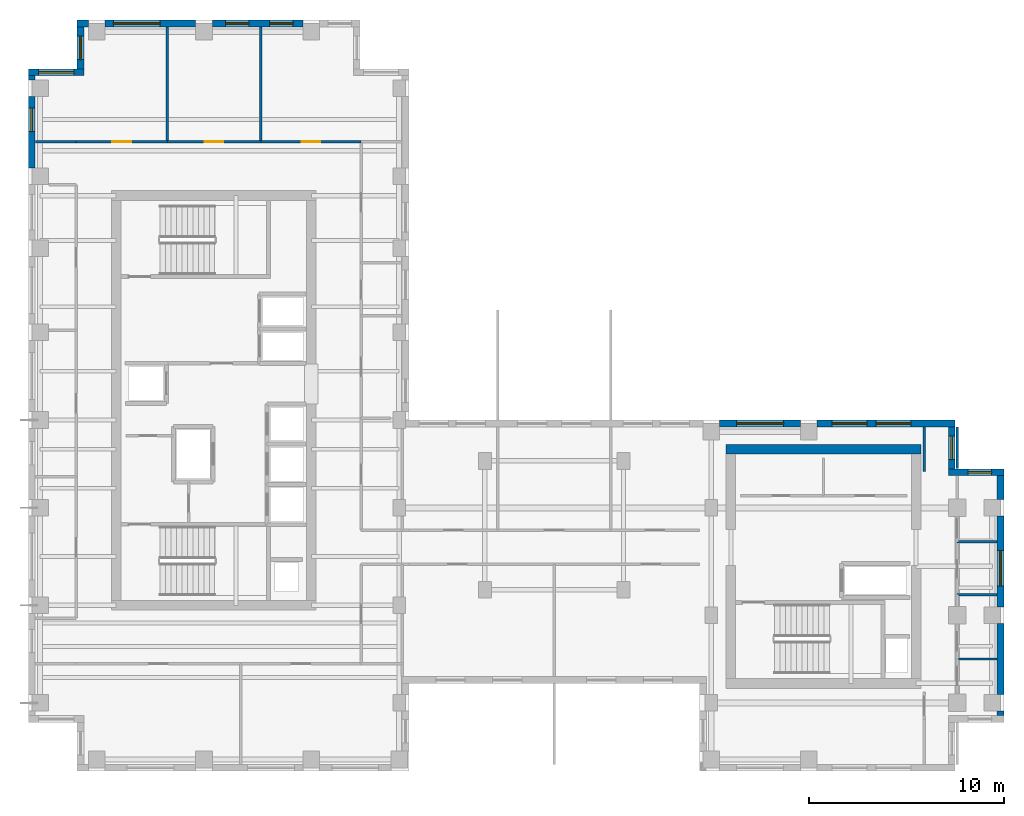
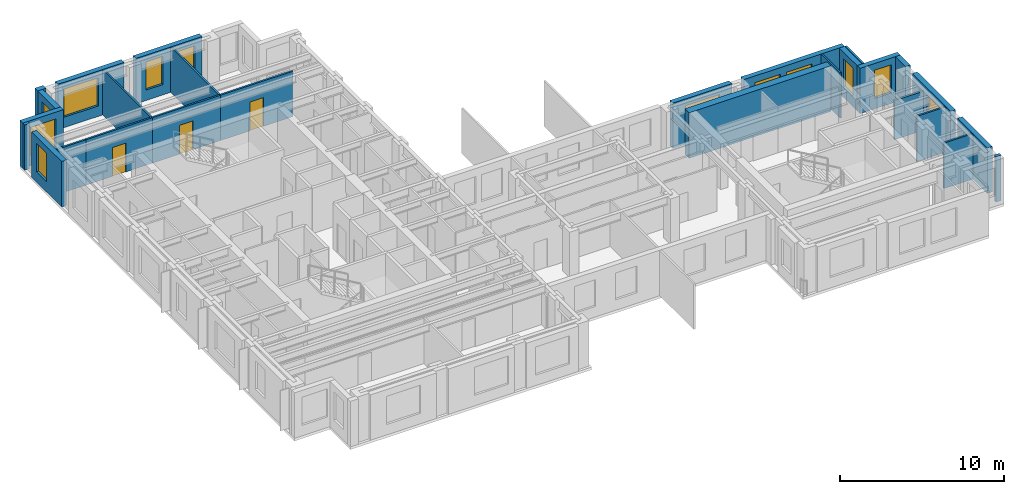
# One storey, part 7 of 10: 27 walls, 12 windows, 3 doors, 15 openings.
"""IFC4 building model written with IfcOpenShell, lengths in metres."""

from ifc_helpers import new_model, si_unit, direction, frame, frame_2d, origin, place, context, subcontext, project, spatial, rectangle, extrude, source, transform, mapped, material, layer, layer_set, type_object, element, fill, save


model = new_model("IFC4")

# Units and contexts
model_context = context("Model", 3, precision=1e-05, world=origin(), true_north=direction((0.0, 1.0)))
body_context = subcontext(model_context, "Body", "Model", "MODEL_VIEW")
ifc_project = project(units=[si_unit("LENGTHUNIT", "METRE"), si_unit("AREAUNIT", "SQUARE_METRE"), si_unit("VOLUMEUNIT", "CUBIC_METRE"), si_unit("PLANEANGLEUNIT", "RADIAN"), si_unit("MASSUNIT", "GRAM", prefix="KILO")], contexts=[model_context])

# Site, building, storey
site_placement = place(None, origin())
site = spatial("IfcSite", under=ifc_project, at=site_placement, CompositionType="ELEMENT")
building_placement = place(site_placement, origin())
building = spatial("IfcBuilding", under=site, at=building_placement, Name="Kharzan Plaza Tower", CompositionType="ELEMENT")
storey_placement = place(building_placement, frame((0.0, 0.0, 216.0)))
storey = spatial("IfcBuildingStorey", under=building, at=storey_placement, Name="L58", CompositionType="ELEMENT", Elevation=216.0)

# Wall, openings, windows
ifc_material_1 = material(Name="Concrete C40/50", Category="concrete")
ifc_layer_1 = layer(ifc_material_1, 0.35009765625)
ifc_layer_set_1 = layer_set([ifc_layer_1], Name="Concrete C40/50")
wall_type_1 = type_object("IfcWallType", Name="WL-EXT-MAS-Z4", PredefinedType="SOLIDWALL", material=ifc_layer_set_1)
wall_1_placement = place(storey_placement, frame((14.076904296875, 38.324951171875, 0.0), z_axis=(0.0, 0.0, 1.0), x_axis=(-1.0, 0.0, 0.0)))
wall_1 = element("IfcWall", 1, at=wall_1_placement, inside=storey, type_object=wall_type_1, Name="L58 Masonry-Frame Exterior Wall 04", PredefinedType="SOLIDWALL", context=body_context, shape_type="SweptSolid", body=[
    extrude(rectangle(XDim=4.65380859375, YDim=0.35009765625, at=frame_2d((2.326904296875, 0.0))), origin(), (0.0, 0.0, 1.0), 3.385009765625),
])
opening_1_placement = place(wall_1_placement, frame((0.515380859375, 0.0, 0.780029296875)))
opening_1 = element("IfcOpeningElement", 2, at=opening_1_placement, cuts=wall_1, Name="Opening W3", PredefinedType="OPENING", context=body_context, shape_type="SweptSolid", body=[
    extrude(rectangle(XDim=1.199951171875, YDim=2.10009765625, at=frame_2d((0.60009765625, 1.050048828125))), frame((0.0, 0.18505859375, 0.0), z_axis=(0.0, -1.0, 0.0), x_axis=(1.0, 0.0, 0.0)), (0.0, 0.0, 1.0), 0.3701171875),
])
opening_2_placement = place(wall_1_placement, frame((2.7724609375, 0.0, 0.780029296875)))
opening_2 = element("IfcOpeningElement", 3, at=opening_2_placement, cuts=wall_1, Name="Opening W3", PredefinedType="OPENING", context=body_context, shape_type="SweptSolid", body=[
    extrude(rectangle(XDim=1.199951171875, YDim=2.10009765625, at=frame_2d((0.60009765625, 1.050048828125))), frame((0.0, 0.18505859375, 0.0), z_axis=(0.0, -1.0, 0.0), x_axis=(1.0, 0.0, 0.0)), (0.0, 0.0, 1.0), 0.3701171875),
])
ifc_material_2 = material(Name="Low-E Double Glazing", Category="glass")
window_type_1 = type_object("IfcWindowType", Name="WN-REC-1200x2100", PartitioningType="SINGLE_PANEL", PredefinedType="WINDOW", material=ifc_material_2)
shared_shape_1 = source(origin(), body_context, "Body", "SweptSolid", [
    extrude(rectangle(XDim=1.199951171875, YDim=2.10009765625, at=frame_2d((0.60009765625, 1.050048828125))), frame((0.0, 0.030029296875, 0.0), z_axis=(0.0, -1.0, 0.0), x_axis=(1.0, 0.0, 0.0)), (0.0, 0.0, 1.0), 0.06005859375),
])
window_1_placement = place(opening_1_placement, origin())
window_1 = element("IfcWindow", 4, at=window_1_placement, inside=storey, type_object=window_type_1, Name="L58 Recessed Solar-Control Window 04-1", OverallHeight=2.10009765625, OverallWidth=1.199951171875, PartitioningType="SINGLE_PANEL", PredefinedType="WINDOW", context=body_context, shape_type="MappedRepresentation", body=[
    mapped(shared_shape_1, transform((0.0, 0.0, 0.0), x_axis=(1.0, 0.0, 0.0), y_axis=(0.0, 1.0, 0.0), z_axis=(0.0, 0.0, 1.0))),
])
fill(opening_1, window_1)
window_2_placement = place(opening_2_placement, origin())
window_2 = element("IfcWindow", 5, at=window_2_placement, inside=storey, type_object=window_type_1, Name="L58 Recessed Solar-Control Window 04-2", OverallHeight=2.10009765625, OverallWidth=1.199951171875, PartitioningType="SINGLE_PANEL", PredefinedType="WINDOW", context=body_context, shape_type="MappedRepresentation", body=[
    mapped(shared_shape_1, transform((0.0, 0.0, 0.0), x_axis=(1.0, 0.0, 0.0), y_axis=(0.0, 1.0, 0.0), z_axis=(0.0, 0.0, 1.0))),
])
fill(opening_2, window_2)

# Wall, opening, window
wall_2_placement = place(storey_placement, frame((8.576904296875, 38.324951171875, 0.0), z_axis=(0.0, 0.0, 1.0), x_axis=(-1.0, 0.0, 0.0)))
wall_2 = element("IfcWall", 6, at=wall_2_placement, inside=storey, type_object=wall_type_1, Name="L58 Masonry-Frame Exterior Wall 05", PredefinedType="SOLIDWALL", context=body_context, shape_type="SweptSolid", body=[
    extrude(rectangle(XDim=4.65380859375, YDim=0.35009765625, at=frame_2d((2.326904296875, 0.0))), origin(), (0.0, 0.0, 1.0), 3.385009765625),
])
opening_3_placement = place(wall_2_placement, frame((1.820068359375, 0.0, 0.780029296875)))
opening_3 = element("IfcOpeningElement", 7, at=opening_3_placement, cuts=wall_2, Name="Opening W2", PredefinedType="OPENING", context=body_context, shape_type="SweptSolid", body=[
    extrude(rectangle(XDim=2.39990234375, YDim=2.10009765625, at=frame_2d((1.199951171875, 1.050048828125))), frame((0.0, 0.18505859375, 0.0), z_axis=(0.0, -1.0, 0.0), x_axis=(1.0, 0.0, 0.0)), (0.0, 0.0, 1.0), 0.3701171875),
])
window_type_2 = type_object("IfcWindowType", Name="WN-REC-2400x2100", PartitioningType="SINGLE_PANEL", PredefinedType="WINDOW", material=ifc_material_2)
shared_shape_2 = source(origin(), body_context, "Body", "SweptSolid", [
    extrude(rectangle(XDim=2.39990234375, YDim=2.10009765625, at=frame_2d((1.199951171875, 1.050048828125))), frame((0.0, 0.030029296875, 0.0), z_axis=(0.0, -1.0, 0.0), x_axis=(1.0, 0.0, 0.0)), (0.0, 0.0, 1.0), 0.06005859375),
])
window_3_placement = place(opening_3_placement, origin())
window_3 = element("IfcWindow", 8, at=window_3_placement, inside=storey, type_object=window_type_2, Name="L58 Wide Recessed Solar-Control Window 05-1", OverallHeight=2.10009765625, OverallWidth=2.39990234375, PartitioningType="SINGLE_PANEL", PredefinedType="WINDOW", context=body_context, shape_type="MappedRepresentation", body=[
    mapped(shared_shape_2, transform((0.0, 0.0, 0.0), x_axis=(1.0, 0.0, 0.0), y_axis=(0.0, 1.0, 0.0), z_axis=(0.0, 0.0, 1.0))),
])
fill(opening_3, window_3)

wall_3_placement = place(storey_placement, frame((2.675048828125, 38.152099609375, 0.0), z_axis=(0.0, 0.0, 1.0), x_axis=(0.0, -1.0, 0.0)))
wall_3 = element("IfcWall", 9, at=wall_3_placement, inside=storey, type_object=wall_type_1, Name="L58 Masonry-Frame Exterior Wall 07", PredefinedType="SOLIDWALL", context=body_context, shape_type="SweptSolid", body=[
    extrude(rectangle(XDim=2.154052734375, YDim=0.35009765625, at=frame_2d((1.0771484375, 0.0))), origin(), (0.0, 0.0, 1.0), 3.385009765625),
])
opening_4_placement = place(wall_3_placement, frame((0.47705078125, 0.0, 0.780029296875)))
opening_4 = element("IfcOpeningElement", 10, at=opening_4_placement, cuts=wall_3, Name="Opening W3", PredefinedType="OPENING", context=body_context, shape_type="SweptSolid", body=[
    extrude(rectangle(XDim=1.199951171875, YDim=2.10009765625, at=frame_2d((0.60009765625, 1.050048828125))), frame((0.0, 0.18505859375, 0.0), z_axis=(0.0, -1.0, 0.0), x_axis=(1.0, 0.0, 0.0)), (0.0, 0.0, 1.0), 0.3701171875),
])
window_4_placement = place(opening_4_placement, origin())
window_4 = element("IfcWindow", 11, at=window_4_placement, inside=storey, type_object=window_type_1, Name="L58 Recessed Solar-Control Window 07-1", OverallHeight=2.10009765625, OverallWidth=1.199951171875, PartitioningType="SINGLE_PANEL", PredefinedType="WINDOW", context=body_context, shape_type="MappedRepresentation", body=[
    mapped(shared_shape_1, transform((0.0, 0.0, 0.0), x_axis=(1.0, 0.0, 0.0), y_axis=(0.0, 1.0, 0.0), z_axis=(0.0, 0.0, 1.0))),
])
fill(opening_4, window_4)

wall_4_placement = place(storey_placement, frame((2.85009765625, 35.824951171875, 0.0), z_axis=(0.0, 0.0, 1.0), x_axis=(-1.0, 0.0, 0.0)))
wall_4 = element("IfcWall", 12, at=wall_4_placement, inside=storey, type_object=wall_type_1, Name="L58 Masonry-Frame Exterior Wall 08", PredefinedType="SOLIDWALL", context=body_context, shape_type="SweptSolid", body=[
    extrude(rectangle(XDim=2.85009765625, YDim=0.35009765625, at=frame_2d((1.425048828125, 0.0))), origin(), (0.0, 0.0, 1.0), 3.385009765625),
])
opening_5_placement = place(wall_4_placement, frame((0.52490234375, 0.0, 0.780029296875)))
opening_5 = element("IfcOpeningElement", 13, at=opening_5_placement, cuts=wall_4, Name="Opening W1", PredefinedType="OPENING", context=body_context, shape_type="SweptSolid", body=[
    extrude(rectangle(XDim=1.800048828125, YDim=2.10009765625, at=frame_2d((0.89990234375, 1.050048828125))), frame((0.0, 0.18505859375, 0.0), z_axis=(0.0, -1.0, 0.0), x_axis=(1.0, 0.0, 0.0)), (0.0, 0.0, 1.0), 0.3701171875),
])
window_type_3 = type_object("IfcWindowType", Name="WN-REC-1800x2100", PartitioningType="SINGLE_PANEL", PredefinedType="WINDOW", material=ifc_material_2)
shared_shape_3 = source(origin(), body_context, "Body", "SweptSolid", [
    extrude(rectangle(XDim=1.800048828125, YDim=2.10009765625, at=frame_2d((0.89990234375, 1.050048828125))), frame((0.0, 0.030029296875, 0.0), z_axis=(0.0, -1.0, 0.0), x_axis=(1.0, 0.0, 0.0)), (0.0, 0.0, 1.0), 0.06005859375),
])
window_5_placement = place(opening_5_placement, origin())
window_5 = element("IfcWindow", 14, at=window_5_placement, inside=storey, type_object=window_type_3, Name="L58 Recessed Solar-Control Window 08-1", OverallHeight=2.10009765625, OverallWidth=1.800048828125, PartitioningType="SINGLE_PANEL", PredefinedType="WINDOW", context=body_context, shape_type="MappedRepresentation", body=[
    mapped(shared_shape_3, transform((0.0, 0.0, 0.0), x_axis=(1.0, 0.0, 0.0), y_axis=(0.0, 1.0, 0.0), z_axis=(0.0, 0.0, 1.0))),
])
fill(opening_5, window_5)

wall_5_placement = place(storey_placement, frame((0.175048828125, 34.576904296875, 0.0), z_axis=(0.0, 0.0, 1.0), x_axis=(0.0, -1.0, 0.0)))
wall_5 = element("IfcWall", 15, at=wall_5_placement, inside=storey, type_object=wall_type_1, Name="L58 Masonry-Frame Exterior Wall 10", PredefinedType="SOLIDWALL", context=body_context, shape_type="SweptSolid", body=[
    extrude(rectangle(XDim=3.65380859375, YDim=0.35009765625, at=frame_2d((1.826904296875, 0.0))), origin(), (0.0, 0.0, 1.0), 3.385009765625),
])
opening_6_placement = place(wall_5_placement, frame((0.598388671875, 0.0, 0.780029296875)))
opening_6 = element("IfcOpeningElement", 16, at=opening_6_placement, cuts=wall_5, Name="Opening W3", PredefinedType="OPENING", context=body_context, shape_type="SweptSolid", body=[
    extrude(rectangle(XDim=1.199951171875, YDim=2.10009765625, at=frame_2d((0.60009765625, 1.050048828125))), frame((0.0, 0.18505859375, 0.0), z_axis=(0.0, -1.0, 0.0), x_axis=(1.0, 0.0, 0.0)), (0.0, 0.0, 1.0), 0.3701171875),
])
window_6_placement = place(opening_6_placement, origin())
window_6 = element("IfcWindow", 17, at=window_6_placement, inside=storey, type_object=window_type_1, Name="L58 Recessed Solar-Control Window 10-1", OverallHeight=2.10009765625, OverallWidth=1.199951171875, PartitioningType="SINGLE_PANEL", PredefinedType="WINDOW", context=body_context, shape_type="MappedRepresentation", body=[
    mapped(shared_shape_1, transform((0.0, 0.0, 0.0), x_axis=(1.0, 0.0, 0.0), y_axis=(0.0, 1.0, 0.0), z_axis=(0.0, 0.0, 1.0))),
])
fill(opening_6, window_6)

wall_6_placement = place(storey_placement, frame((49.824951171875, 8.423095703125, 0.0), z_axis=(0.0, 0.0, 1.0), x_axis=(0.0, 1.0, 0.0)))
wall_6 = element("IfcWall", 18, at=wall_6_placement, inside=storey, type_object=wall_type_1, Name="L58 Masonry-Frame Exterior Wall 35", PredefinedType="SOLIDWALL", context=body_context, shape_type="SweptSolid", body=[
    extrude(rectangle(XDim=4.65380859375, YDim=0.35009765625, at=frame_2d((2.326904296875, 0.0))), origin(), (0.0, 0.0, 1.0), 3.385009765625),
])
opening_7_placement = place(wall_6_placement, frame((1.076904296875, 0.0, 0.780029296875)))
opening_7 = element("IfcOpeningElement", 19, at=opening_7_placement, cuts=wall_6, Name="Opening W1", PredefinedType="OPENING", context=body_context, shape_type="SweptSolid", body=[
    extrude(rectangle(XDim=1.800048828125, YDim=2.10009765625, at=frame_2d((0.89990234375, 1.050048828125))), frame((0.0, 0.18505859375, 0.0), z_axis=(0.0, -1.0, 0.0), x_axis=(1.0, 0.0, 0.0)), (0.0, 0.0, 1.0), 0.3701171875),
])
window_7_placement = place(opening_7_placement, origin())
window_7 = element("IfcWindow", 20, at=window_7_placement, inside=storey, type_object=window_type_3, Name="L58 Recessed Solar-Control Window 35-1", OverallHeight=2.10009765625, OverallWidth=1.800048828125, PartitioningType="SINGLE_PANEL", PredefinedType="WINDOW", context=body_context, shape_type="MappedRepresentation", body=[
    mapped(shared_shape_3, transform((0.0, 0.0, 0.0), x_axis=(1.0, 0.0, 0.0), y_axis=(0.0, 1.0, 0.0), z_axis=(0.0, 0.0, 1.0))),
])
fill(opening_7, window_7)

wall_7_placement = place(storey_placement, frame((50.0, 15.324951171875, 0.0), z_axis=(0.0, 0.0, 1.0), x_axis=(-1.0, 0.0, 0.0)))
wall_7 = element("IfcWall", 21, at=wall_7_placement, inside=storey, type_object=wall_type_1, Name="L58 Masonry-Frame Exterior Wall 37", PredefinedType="SOLIDWALL", context=body_context, shape_type="SweptSolid", body=[
    extrude(rectangle(XDim=2.85009765625, YDim=0.35009765625, at=frame_2d((1.425048828125, 0.0))), origin(), (0.0, 0.0, 1.0), 3.385009765625),
])
opening_8_placement = place(wall_7_placement, frame((0.635009765625, 0.0, 0.780029296875)))
opening_8 = element("IfcOpeningElement", 22, at=opening_8_placement, cuts=wall_7, Name="Opening W3", PredefinedType="OPENING", context=body_context, shape_type="SweptSolid", body=[
    extrude(rectangle(XDim=1.199951171875, YDim=2.10009765625, at=frame_2d((0.60009765625, 1.050048828125))), frame((0.0, 0.18505859375, 0.0), z_axis=(0.0, -1.0, 0.0), x_axis=(1.0, 0.0, 0.0)), (0.0, 0.0, 1.0), 0.3701171875),
])
window_8_placement = place(opening_8_placement, origin())
window_8 = element("IfcWindow", 23, at=window_8_placement, inside=storey, type_object=window_type_1, Name="L58 Recessed Solar-Control Window 37-1", OverallHeight=2.10009765625, OverallWidth=1.199951171875, PartitioningType="SINGLE_PANEL", PredefinedType="WINDOW", context=body_context, shape_type="MappedRepresentation", body=[
    mapped(shared_shape_1, transform((0.0, 0.0, 0.0), x_axis=(1.0, 0.0, 0.0), y_axis=(0.0, 1.0, 0.0), z_axis=(0.0, 0.0, 1.0))),
])
fill(opening_8, window_8)

wall_8_placement = place(storey_placement, frame((47.324951171875, 15.498046875, 0.0), z_axis=(0.0, 0.0, 1.0), x_axis=(0.0, 1.0, 0.0)))
wall_8 = element("IfcWall", 24, at=wall_8_placement, inside=storey, type_object=wall_type_1, Name="L58 Masonry-Frame Exterior Wall 38", PredefinedType="SOLIDWALL", context=body_context, shape_type="SweptSolid", body=[
    extrude(rectangle(XDim=2.154052734375, YDim=0.35009765625, at=frame_2d((1.0771484375, 0.0))), origin(), (0.0, 0.0, 1.0), 3.385009765625),
])
opening_9_placement = place(wall_8_placement, frame((0.47705078125, 0.0, 0.780029296875)))
opening_9 = element("IfcOpeningElement", 25, at=opening_9_placement, cuts=wall_8, Name="Opening W3", PredefinedType="OPENING", context=body_context, shape_type="SweptSolid", body=[
    extrude(rectangle(XDim=1.199951171875, YDim=2.10009765625, at=frame_2d((0.60009765625, 1.050048828125))), frame((0.0, 0.18505859375, 0.0), z_axis=(0.0, -1.0, 0.0), x_axis=(1.0, 0.0, 0.0)), (0.0, 0.0, 1.0), 0.3701171875),
])
window_9_placement = place(opening_9_placement, origin())
window_9 = element("IfcWindow", 26, at=window_9_placement, inside=storey, type_object=window_type_1, Name="L58 Recessed Solar-Control Window 38-1", OverallHeight=2.10009765625, OverallWidth=1.199951171875, PartitioningType="SINGLE_PANEL", PredefinedType="WINDOW", context=body_context, shape_type="MappedRepresentation", body=[
    mapped(shared_shape_1, transform((0.0, 0.0, 0.0), x_axis=(1.0, 0.0, 0.0), y_axis=(0.0, 1.0, 0.0), z_axis=(0.0, 0.0, 1.0))),
])
fill(opening_9, window_9)

# Wall, openings, windows
wall_9_placement = place(storey_placement, frame((47.5, 17.824951171875, 0.0), z_axis=(0.0, 0.0, 1.0), x_axis=(-1.0, 0.0, 0.0)))
wall_9 = element("IfcWall", 27, at=wall_9_placement, inside=storey, type_object=wall_type_1, Name="L58 Masonry-Frame Exterior Wall 39", PredefinedType="SOLIDWALL", context=body_context, shape_type="SweptSolid", body=[
    extrude(rectangle(XDim=7.076904296875, YDim=0.35009765625, at=frame_2d((3.53857421875, 0.0))), origin(), (0.0, 0.0, 1.0), 3.385009765625),
])
opening_10_placement = place(wall_9_placement, frame((2.272216796875, 0.0, 0.780029296875)))
opening_10 = element("IfcOpeningElement", 28, at=opening_10_placement, cuts=wall_9, Name="Opening W1", PredefinedType="OPENING", context=body_context, shape_type="SweptSolid", body=[
    extrude(rectangle(XDim=1.800048828125, YDim=2.10009765625, at=frame_2d((0.89990234375, 1.050048828125))), frame((0.0, 0.18505859375, 0.0), z_axis=(0.0, -1.0, 0.0), x_axis=(1.0, 0.0, 0.0)), (0.0, 0.0, 1.0), 0.3701171875),
])
opening_11_placement = place(wall_9_placement, frame((4.5146484375, 0.0, 0.780029296875)))
opening_11 = element("IfcOpeningElement", 29, at=opening_11_placement, cuts=wall_9, Name="Opening W1", PredefinedType="OPENING", context=body_context, shape_type="SweptSolid", body=[
    extrude(rectangle(XDim=1.800048828125, YDim=2.10009765625, at=frame_2d((0.89990234375, 1.050048828125))), frame((0.0, 0.18505859375, 0.0), z_axis=(0.0, -1.0, 0.0), x_axis=(1.0, 0.0, 0.0)), (0.0, 0.0, 1.0), 0.3701171875),
])
window_10_placement = place(opening_10_placement, origin())
window_10 = element("IfcWindow", 30, at=window_10_placement, inside=storey, type_object=window_type_3, Name="L58 Recessed Solar-Control Window 39-1", OverallHeight=2.10009765625, OverallWidth=1.800048828125, PartitioningType="SINGLE_PANEL", PredefinedType="WINDOW", context=body_context, shape_type="MappedRepresentation", body=[
    mapped(shared_shape_3, transform((0.0, 0.0, 0.0), x_axis=(1.0, 0.0, 0.0), y_axis=(0.0, 1.0, 0.0), z_axis=(0.0, 0.0, 1.0))),
])
fill(opening_10, window_10)
window_11_placement = place(opening_11_placement, origin())
window_11 = element("IfcWindow", 31, at=window_11_placement, inside=storey, type_object=window_type_3, Name="L58 Recessed Solar-Control Window 39-2", OverallHeight=2.10009765625, OverallWidth=1.800048828125, PartitioningType="SINGLE_PANEL", PredefinedType="WINDOW", context=body_context, shape_type="MappedRepresentation", body=[
    mapped(shared_shape_3, transform((0.0, 0.0, 0.0), x_axis=(1.0, 0.0, 0.0), y_axis=(0.0, 1.0, 0.0), z_axis=(0.0, 0.0, 1.0))),
])
fill(opening_11, window_11)

# Wall, opening, window
wall_10_placement = place(storey_placement, frame((39.576904296875, 17.824951171875, 0.0), z_axis=(0.0, 0.0, 1.0), x_axis=(-1.0, 0.0, 0.0)))
wall_10 = element("IfcWall", 32, at=wall_10_placement, inside=storey, type_object=wall_type_1, Name="L58 Masonry-Frame Exterior Wall 40", PredefinedType="SOLIDWALL", context=body_context, shape_type="SweptSolid", body=[
    extrude(rectangle(XDim=4.15380859375, YDim=0.35009765625, at=frame_2d((2.076904296875, 0.0))), origin(), (0.0, 0.0, 1.0), 3.385009765625),
])
opening_12_placement = place(wall_10_placement, frame((0.876953125, 0.0, 0.780029296875)))
opening_12 = element("IfcOpeningElement", 33, at=opening_12_placement, cuts=wall_10, Name="Opening W2", PredefinedType="OPENING", context=body_context, shape_type="SweptSolid", body=[
    extrude(rectangle(XDim=2.39990234375, YDim=2.10009765625, at=frame_2d((1.199951171875, 1.050048828125))), frame((0.0, 0.18505859375, 0.0), z_axis=(0.0, -1.0, 0.0), x_axis=(1.0, 0.0, 0.0)), (0.0, 0.0, 1.0), 0.3701171875),
])
window_12_placement = place(opening_12_placement, origin())
window_12 = element("IfcWindow", 34, at=window_12_placement, inside=storey, type_object=window_type_2, Name="L58 Wide Recessed Solar-Control Window 40-1", OverallHeight=2.10009765625, OverallWidth=2.39990234375, PartitioningType="SINGLE_PANEL", PredefinedType="WINDOW", context=body_context, shape_type="MappedRepresentation", body=[
    mapped(shared_shape_2, transform((0.0, 0.0, 0.0), x_axis=(1.0, 0.0, 0.0), y_axis=(0.0, 1.0, 0.0), z_axis=(0.0, 0.0, 1.0))),
])
fill(opening_12, window_12)

# Wall, opening, door
ifc_material_3 = material(Name="Fire-Rated Gypsum Board Partition", Category="gypsum")
ifc_layer_2 = layer(ifc_material_3, 0.125)
ifc_layer_set_2 = layer_set([ifc_layer_2], Name="Fire-Rated Gypsum Board Partition")
wall_type_2 = type_object("IfcWallType", Name="WL-INT-PART-125", PredefinedType="PARTITIONING", material=ifc_layer_set_2)
wall_11_placement = place(storey_placement, frame((2.449951171875, 32.25, 0.0), z_axis=(0.0, 0.0, 1.0), x_axis=(1.0, 0.0, 0.0)))
wall_11 = element("IfcWall", 35, at=wall_11_placement, inside=storey, type_object=wall_type_2, Name="L58 Interior Partition SH-NN-1", PredefinedType="PARTITIONING", context=body_context, shape_type="SweptSolid", body=[
    extrude(rectangle(XDim=4.671142578125, YDim=0.125, at=frame_2d((2.33544921875, 0.0))), origin(), (0.0, 0.0, 1.0), 3.385009765625),
])
opening_13_placement = place(wall_11_placement, frame((1.860595703125, 0.0, 0.0)))
opening_13 = element("IfcOpeningElement", 36, at=opening_13_placement, cuts=wall_11, Name="Opening OD1", PredefinedType="OPENING", context=body_context, shape_type="SweptSolid", body=[
    extrude(rectangle(XDim=0.949951171875, YDim=2.14990234375, at=frame_2d((0.47509765625, 1.074951171875))), frame((0.0, 0.072509765625, 0.0), z_axis=(0.0, -1.0, 0.0), x_axis=(1.0, 0.0, 0.0)), (0.0, 0.0, 1.0), 0.14501953125),
])
ifc_material_4 = material(Name="Acoustic Solid-Core Stained Oak", Category="timber")
door_type = type_object("IfcDoorType", Name="DR-OFF-SINGLE", OperationType="NOTDEFINED", PredefinedType="DOOR", material=ifc_material_4)
shared_shape_4 = source(origin(), body_context, "Body", "SweptSolid", [
    extrude(rectangle(XDim=0.949951171875, YDim=2.14990234375, at=frame_2d((0.47509765625, 1.074951171875))), frame((0.0, 0.02490234375, 0.0), z_axis=(0.0, -1.0, 0.0), x_axis=(1.0, 0.0, 0.0)), (0.0, 0.0, 1.0), 0.050048828125),
])
door_1_placement = place(opening_13_placement, origin())
door_1 = element("IfcDoor", 37, at=door_1_placement, inside=storey, type_object=door_type, Name="L58 Systems Planning Office Door", OperationType="SINGLE_SWING_LEFT", OverallHeight=2.14990234375, OverallWidth=0.949951171875, PredefinedType="DOOR", context=body_context, shape_type="MappedRepresentation", body=[
    mapped(shared_shape_4, transform((0.0, 0.0, 0.0), x_axis=(1.0, 0.0, 0.0), y_axis=(0.0, 1.0, 0.0), z_axis=(0.0, 0.0, 1.0))),
])
fill(opening_13, door_1)

wall_12_placement = place(storey_placement, frame((7.12109375, 32.25, 0.0), z_axis=(0.0, 0.0, 1.0), x_axis=(1.0, 0.0, 0.0)))
wall_12 = element("IfcWall", 38, at=wall_12_placement, inside=storey, type_object=wall_type_2, Name="L58 Interior Partition SH-NN-2", PredefinedType="PARTITIONING", context=body_context, shape_type="SweptSolid", body=[
    extrude(rectangle(XDim=4.794921875, YDim=0.125, at=frame_2d((2.3974609375, 0.0))), origin(), (0.0, 0.0, 1.0), 3.385009765625),
])
opening_14_placement = place(wall_12_placement, frame((1.922607421875, 0.0, 0.0)))
opening_14 = element("IfcOpeningElement", 39, at=opening_14_placement, cuts=wall_12, Name="Opening OD1", PredefinedType="OPENING", context=body_context, shape_type="SweptSolid", body=[
    extrude(rectangle(XDim=0.949951171875, YDim=2.14990234375, at=frame_2d((0.47509765625, 1.074951171875))), frame((0.0, 0.072509765625, 0.0), z_axis=(0.0, -1.0, 0.0), x_axis=(1.0, 0.0, 0.0)), (0.0, 0.0, 1.0), 0.14501953125),
])
door_2_placement = place(opening_14_placement, origin())
door_2 = element("IfcDoor", 40, at=door_2_placement, inside=storey, type_object=door_type, Name="L58 Open Office Workspace Door", OperationType="SINGLE_SWING_RIGHT", OverallHeight=2.14990234375, OverallWidth=0.949951171875, PredefinedType="DOOR", context=body_context, shape_type="MappedRepresentation", body=[
    mapped(shared_shape_4, transform((0.0, 0.0, 0.0), x_axis=(1.0, 0.0, 0.0), y_axis=(0.0, 1.0, 0.0), z_axis=(0.0, 0.0, 1.0))),
])
fill(opening_14, door_2)

wall_13_placement = place(storey_placement, frame((11.916015625, 32.25, 0.0), z_axis=(0.0, 0.0, 1.0), x_axis=(1.0, 0.0, 0.0)))
wall_13 = element("IfcWall", 41, at=wall_13_placement, inside=storey, type_object=wall_type_2, Name="L58 Interior Partition SH-NN-3", PredefinedType="PARTITIONING", context=body_context, shape_type="SweptSolid", body=[
    extrude(rectangle(XDim=5.134033203125, YDim=0.125, at=frame_2d((2.56689453125, 0.0))), origin(), (0.0, 0.0, 1.0), 3.385009765625),
])
opening_15_placement = place(wall_13_placement, frame((2.092041015625, 0.0, 0.0)))
opening_15 = element("IfcOpeningElement", 42, at=opening_15_placement, cuts=wall_13, Name="Opening OD1", PredefinedType="OPENING", context=body_context, shape_type="SweptSolid", body=[
    extrude(rectangle(XDim=0.949951171875, YDim=2.14990234375, at=frame_2d((0.47509765625, 1.074951171875))), frame((0.0, 0.072509765625, 0.0), z_axis=(0.0, -1.0, 0.0), x_axis=(1.0, 0.0, 0.0)), (0.0, 0.0, 1.0), 0.14501953125),
])
door_3_placement = place(opening_15_placement, origin())
door_3 = element("IfcDoor", 43, at=door_3_placement, inside=storey, type_object=door_type, Name="L58 Open Office Workspace Door", OperationType="SINGLE_SWING_LEFT", OverallHeight=2.14990234375, OverallWidth=0.949951171875, PredefinedType="DOOR", context=body_context, shape_type="MappedRepresentation", body=[
    mapped(shared_shape_4, transform((0.0, 0.0, 0.0), x_axis=(1.0, 0.0, 0.0), y_axis=(0.0, 1.0, 0.0), z_axis=(0.0, 0.0, 1.0))),
])
fill(opening_15, door_3)

# Walls
shared_shape_5 = source(origin(), body_context, "Body", "SweptSolid", [
    extrude(rectangle(XDim=2.097900390625, YDim=0.125, at=frame_2d((1.048828125, 0.0))), origin(), (0.0, 0.0, 1.0), 3.385009765625),
])
wall_14_placement = place(storey_placement, frame((0.35205078125, 32.25, 0.0), z_axis=(0.0, 0.0, 1.0), x_axis=(1.0, 0.0, 0.0)))
element("IfcWall", 44, at=wall_14_placement, inside=storey, type_object=wall_type_2, Name="L58 Interior Partition SH-NNW0", PredefinedType="PARTITIONING", context=body_context, shape_type="MappedRepresentation", body=[
    mapped(shared_shape_5, transform((0.0, 0.0, 0.0), x_axis=(1.0, 0.0, 0.0), y_axis=(0.0, 1.0, 0.0), z_axis=(0.0, 0.0, 1.0))),
])
shared_shape_6 = source(origin(), body_context, "Body", "SweptSolid", [
    extrude(rectangle(XDim=2.2978515625, YDim=0.125, at=frame_2d((1.14892578125, 0.0))), origin(), (0.0, 0.0, 1.0), 3.385009765625),
])
wall_15_placement = place(storey_placement, frame((45.919921875, 15.35009765625, 0.0), z_axis=(0.0, 0.0, 1.0), x_axis=(0.0, 1.0, 0.0)))
element("IfcWall", 45, at=wall_15_placement, inside=storey, type_object=wall_type_2, Name="L58 Interior Partition SH-RBNE0", PredefinedType="PARTITIONING", context=body_context, shape_type="MappedRepresentation", body=[
    mapped(shared_shape_6, transform((0.0, 0.0, 0.0), x_axis=(1.0, 0.0, 0.0), y_axis=(0.0, 1.0, 0.0), z_axis=(0.0, 0.0, 1.0))),
])
shared_shape_7 = source(origin(), body_context, "Body", "SweptSolid", [
    extrude(rectangle(XDim=0.576904296875, YDim=0.35009765625, at=frame_2d((0.28857421875, 0.0))), origin(), (0.0, 0.0, 1.0), 3.385009765625),
])
wall_16_placement = place(storey_placement, frame((3.076904296875, 38.324951171875, 0.0), z_axis=(0.0, 0.0, 1.0), x_axis=(-1.0, 0.0, 0.0)))
element("IfcWall", 46, at=wall_16_placement, inside=storey, type_object=wall_type_1, Name="L58 Masonry-Frame Exterior Wall 06", PredefinedType="SOLIDWALL", context=body_context, shape_type="MappedRepresentation", body=[
    mapped(shared_shape_7, transform((0.0, 0.0, 0.0), x_axis=(1.0, 0.0, 0.0), y_axis=(0.0, 1.0, 0.0), z_axis=(0.0, 0.0, 1.0))),
])
shared_shape_8 = source(origin(), body_context, "Body", "SweptSolid", [
    extrude(rectangle(XDim=0.22900390625, YDim=0.35009765625, at=frame_2d((0.114501953125, 0.0))), origin(), (0.0, 0.0, 1.0), 3.385009765625),
])
for number, where, z_axis, x_axis, name in (
    (47, (0.175048828125, 35.652099609375, 0.0), (0.0, 0.0, 1.0), (0.0, -1.0, 0.0), "L58 Masonry-Frame Exterior Wall 09"),
    (48, (49.824951171875, 2.847900390625, 0.0), (0.0, 0.0, 1.0), (0.0, 1.0, 0.0), "L58 Masonry-Frame Exterior Wall 33"),
):
    element("IfcWall", number, at=place(storey_placement, frame(where, z_axis=z_axis, x_axis=x_axis)), inside=storey, type_object=wall_type_1, Name=name, PredefinedType="SOLIDWALL", context=body_context, shape_type="MappedRepresentation", body=[
        mapped(shared_shape_8, transform((0.0, 0.0, 0.0), x_axis=(1.0, 0.0, 0.0), y_axis=(0.0, 1.0, 0.0), z_axis=(0.0, 0.0, 1.0))),
    ])
shared_shape_9 = source(origin(), body_context, "Body", "SweptSolid", [
    extrude(rectangle(XDim=3.65380859375, YDim=0.35009765625, at=frame_2d((1.826904296875, 0.0))), origin(), (0.0, 0.0, 1.0), 3.385009765625),
])
wall_17_placement = place(storey_placement, frame((49.824951171875, 3.923095703125, 0.0), z_axis=(0.0, 0.0, 1.0), x_axis=(0.0, 1.0, 0.0)))
element("IfcWall", 49, at=wall_17_placement, inside=storey, type_object=wall_type_1, Name="L58 Masonry-Frame Exterior Wall 34", PredefinedType="SOLIDWALL", context=body_context, shape_type="MappedRepresentation", body=[
    mapped(shared_shape_9, transform((0.0, 0.0, 0.0), x_axis=(1.0, 0.0, 0.0), y_axis=(0.0, 1.0, 0.0), z_axis=(0.0, 0.0, 1.0))),
])
shared_shape_10 = source(origin(), body_context, "Body", "SweptSolid", [
    extrude(rectangle(XDim=1.22900390625, YDim=0.35009765625, at=frame_2d((0.614501953125, 0.0))), origin(), (0.0, 0.0, 1.0), 3.385009765625),
])
wall_18_placement = place(storey_placement, frame((49.824951171875, 13.923095703125, 0.0), z_axis=(0.0, 0.0, 1.0), x_axis=(0.0, 1.0, 0.0)))
element("IfcWall", 50, at=wall_18_placement, inside=storey, type_object=wall_type_1, Name="L58 Masonry-Frame Exterior Wall 36", PredefinedType="SOLIDWALL", context=body_context, shape_type="MappedRepresentation", body=[
    mapped(shared_shape_10, transform((0.0, 0.0, 0.0), x_axis=(1.0, 0.0, 0.0), y_axis=(0.0, 1.0, 0.0), z_axis=(0.0, 0.0, 1.0))),
])
shared_shape_11 = source(origin(), body_context, "Body", "SweptSolid", [
    extrude(rectangle(XDim=2.0478515625, YDim=0.125, at=frame_2d((1.02392578125, 0.0))), origin(), (0.0, 0.0, 1.0), 3.385009765625),
])
for number, where, z_axis, x_axis, name in (
    (51, (47.60009765625, 5.75, 0.0), (0.0, 0.0, 1.0), (1.0, 0.0, 0.0), "L58 Interior Partition SH-B3H-57"),
    (52, (47.60009765625, 9.050048828125, 0.0), (0.0, 0.0, 1.0), (1.0, 0.0, 0.0), "L58 Interior Partition SH-B3H-90"),
):
    element("IfcWall", number, at=place(storey_placement, frame(where, z_axis=z_axis, x_axis=x_axis)), inside=storey, type_object=wall_type_2, Name=name, PredefinedType="PARTITIONING", context=body_context, shape_type="MappedRepresentation", body=[
        mapped(shared_shape_11, transform((0.0, 0.0, 0.0), x_axis=(1.0, 0.0, 0.0), y_axis=(0.0, 1.0, 0.0), z_axis=(0.0, 0.0, 1.0))),
    ])
shared_shape_12 = source(origin(), body_context, "Body", "SweptSolid", [
    extrude(rectangle(XDim=2.14794921875, YDim=0.125, at=frame_2d((1.073974609375, 0.0))), origin(), (0.0, 0.0, 1.0), 3.385009765625),
])
wall_19_placement = place(storey_placement, frame((47.60009765625, 15.501953125, 0.0), z_axis=(0.0, 0.0, 1.0), x_axis=(0.0, 1.0, 0.0)))
element("IfcWall", 53, at=wall_19_placement, inside=storey, type_object=wall_type_2, Name="L58 Interior Partition SH-B3W2N", PredefinedType="PARTITIONING", context=body_context, shape_type="MappedRepresentation", body=[
    mapped(shared_shape_12, transform((0.0, 0.0, 0.0), x_axis=(1.0, 0.0, 0.0), y_axis=(0.0, 1.0, 0.0), z_axis=(0.0, 0.0, 1.0))),
])
ifc_material_5 = material(Name="Concrete C50/60", Category="concrete")
ifc_layer_3 = layer(ifc_material_5, 0.5)
ifc_layer_set_3 = layer_set([ifc_layer_3], Name="Concrete C50/60")
wall_type_3 = type_object("IfcWallType", Name="WL-CORE-500", PredefinedType="SHEAR", material=ifc_layer_set_3)
shared_shape_13 = source(origin(), body_context, "Body", "SweptSolid", [
    extrude(rectangle(XDim=10.0, YDim=0.5, at=frame_2d((5.0, 0.0))), origin(), (0.0, 0.0, 1.0), 3.39990234375),
])
wall_20_placement = place(storey_placement, frame((35.75, 16.5, 0.0), z_axis=(0.0, 0.0, 1.0), x_axis=(1.0, 0.0, 0.0)))
element("IfcWall", 54, at=wall_20_placement, inside=storey, type_object=wall_type_3, Name="L58 CORE-B north RC shear wall", PredefinedType="SHEAR", context=body_context, shape_type="MappedRepresentation", body=[
    mapped(shared_shape_13, transform((0.0, 0.0, 0.0), x_axis=(1.0, 0.0, 0.0), y_axis=(0.0, 1.0, 0.0), z_axis=(0.0, 0.0, 1.0))),
])
shared_shape_14 = source(origin(), body_context, "Body", "SweptSolid", [
    extrude(rectangle(XDim=2.0478515625, YDim=0.125, at=frame_2d((1.02392578125, 0.0))), origin(), (0.0, 0.0, 1.0), 2.916015625),
])
wall_21_placement = place(storey_placement, frame((47.60009765625, 11.75, 0.0), z_axis=(0.0, 0.0, 1.0), x_axis=(1.0, 0.0, 0.0)))
element("IfcWall", 55, at=wall_21_placement, inside=storey, type_object=wall_type_2, Name="L58 Interior Partition SH-B3H-117", PredefinedType="PARTITIONING", context=body_context, shape_type="MappedRepresentation", body=[
    mapped(shared_shape_14, transform((0.0, 0.0, 0.0), x_axis=(1.0, 0.0, 0.0), y_axis=(0.0, 1.0, 0.0), z_axis=(0.0, 0.0, 1.0))),
])
shared_shape_15 = source(origin(), body_context, "Body", "SweptSolid", [
    extrude(rectangle(XDim=5.89794921875, YDim=0.125, at=frame_2d((2.948974609375, 0.0))), origin(), (0.0, 0.0, 1.0), 3.385009765625),
])
for number, where, z_axis, x_axis, name in (
    (56, (7.12109375, 32.25, 0.0), (0.0, 0.0, 1.0), (0.0, 1.0, 0.0), "L58 Interior Partition SH-NV-1"),
    (57, (11.916015625, 32.25, 0.0), (0.0, 0.0, 1.0), (0.0, 1.0, 0.0), "L58 Interior Partition SH-NV-2"),
):
    element("IfcWall", number, at=place(storey_placement, frame(where, z_axis=z_axis, x_axis=x_axis)), inside=storey, type_object=wall_type_2, Name=name, PredefinedType="PARTITIONING", context=body_context, shape_type="MappedRepresentation", body=[
        mapped(shared_shape_15, transform((0.0, 0.0, 0.0), x_axis=(1.0, 0.0, 0.0), y_axis=(0.0, 1.0, 0.0), z_axis=(0.0, 0.0, 1.0))),
    ])

save(model, "model.ifc")
